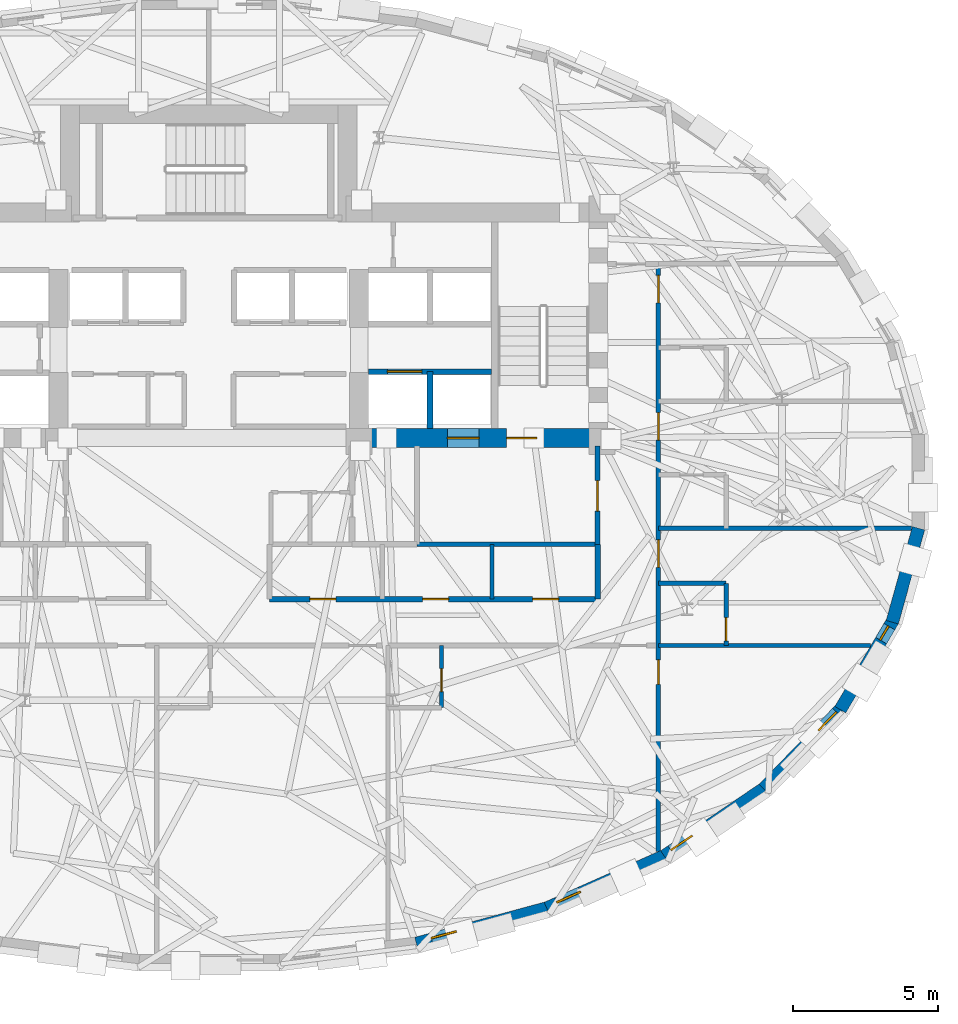
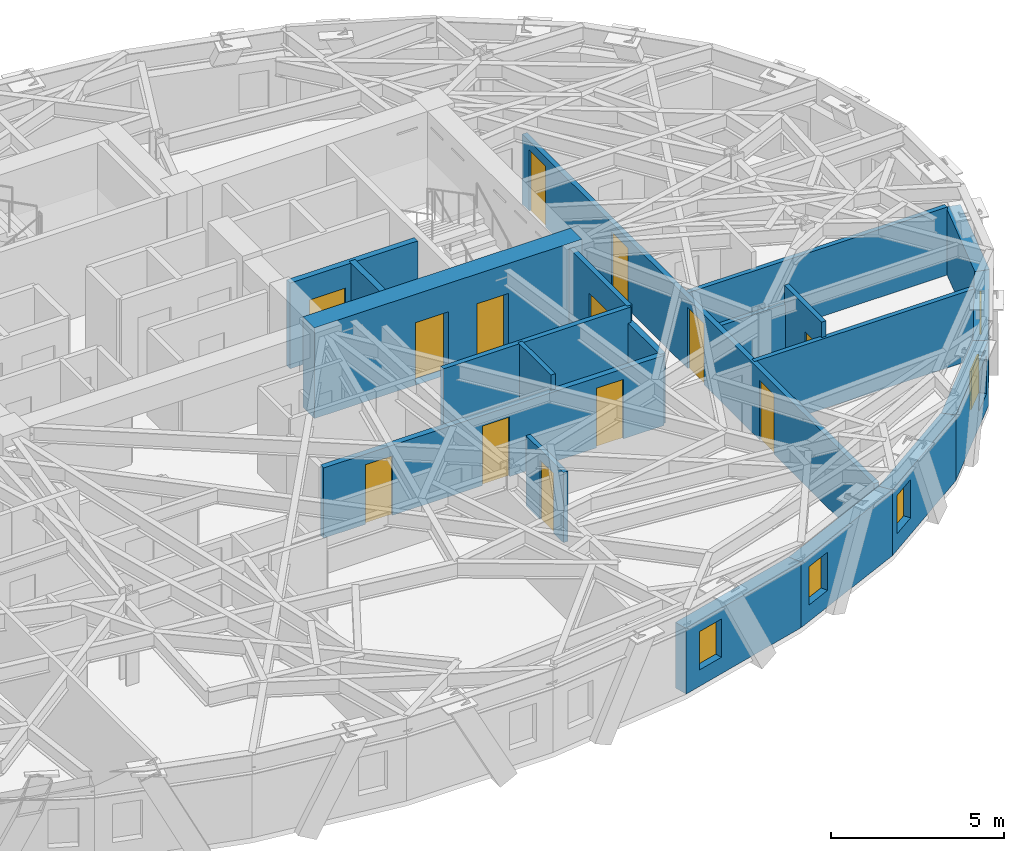
# One storey, part 9 of 15: 20 walls, 13 doors, 5 windows, 18 openings.
"""IFC4 building model written with IfcOpenShell, lengths in metres."""

import ifcopenshell
import ifcopenshell.guid

model = None  # the IFC model being written
_history = None  # IfcOwnerHistory: only IFC2X3 demands one
_inside = {}  # id of a spatial element -> (the spatial element, [elements in it])
_under = {}  # id of a project, library or spatial element -> (it, [spatial elements below it])
_declared = {}  # id of a project -> (the project, [libraries it declares])
_typed = {}  # id of a type object -> (the type object, [elements of that type])
_made_of = {}  # id of a material, layer set ... -> (it, [elements and type objects made of it])


def new_model(schema):
    """Start an empty IFC model of exactly this schema.

    Asked for "IFC4X3", IfcOpenShell would pick the latest addendum, in which some entities
    have other attributes; the version numbers below select the first issue.
    IFC2X3 requires an IfcOwnerHistory on every rooted entity: one is made here for all.
    """
    global model, _history
    if schema == "IFC4X3":
        model = ifcopenshell.file(schema_version=(4, 3, 0, 0))
    else:
        model = ifcopenshell.file(schema=schema)
    _inside.clear()
    _under.clear()
    _declared.clear()
    _typed.clear()
    _made_of.clear()
    _history = None
    if model.schema == "IFC2X3":
        org = make("IfcOrganization", Name="unknown")
        user = make(
            "IfcPersonAndOrganization",
            ThePerson=make("IfcPerson", FamilyName="unknown"),
            TheOrganization=org,
        )
        app = make(
            "IfcApplication",
            ApplicationDeveloper=org,
            Version="unknown",
            ApplicationFullName="unknown",
            ApplicationIdentifier="unknown",
        )
        _history = make(
            "IfcOwnerHistory",
            OwningUser=user,
            OwningApplication=app,
            ChangeAction="ADDED",
            CreationDate=0,
        )
    return model


def make(cls, **values):
    """One entity of the class cls with the attributes given. An attribute that is None is left unset."""
    return model.create_entity(
        cls, **{name: value for name, value in values.items() if value is not None}
    )


def rooted(cls, **values):
    """An entity with a GlobalId (a new one), such as an element, a storey or a relation."""
    return make(cls, GlobalId=ifcopenshell.guid.new(), OwnerHistory=_history, **values)


def si_unit(unit_type, name, prefix=None):
    """IfcSIUnit, for example si_unit("LENGTHUNIT", "METRE", prefix="MILLI")."""
    return make("IfcSIUnit", UnitType=unit_type, Prefix=prefix, Name=name)


def assignment(units):
    """IfcUnitAssignment: the units of a project."""
    return None if units is None else make("IfcUnitAssignment", Units=units)


def point(xyz):
    """IfcCartesianPoint."""
    return None if xyz is None else make("IfcCartesianPoint", Coordinates=xyz)


def direction(xyz):
    """IfcDirection."""
    return None if xyz is None else make("IfcDirection", DirectionRatios=xyz)


def frame(location, z_axis=None, x_axis=None):
    """IfcAxis2Placement3D, a coordinate frame: its origin and axes. An axis left out is left unset."""
    return make(
        "IfcAxis2Placement3D",
        Location=point(location),
        Axis=direction(z_axis),
        RefDirection=direction(x_axis),
    )


def frame_2d(location, x_axis=None):
    """IfcAxis2Placement2D, a coordinate frame in the plane: its origin and x axis."""
    return make(
        "IfcAxis2Placement2D", Location=point(location), RefDirection=direction(x_axis)
    )


def origin():
    """The frame at (0, 0, 0) with its axes left unset."""
    return frame((0.0, 0.0, 0.0))


def place(relative_to, where):
    """IfcLocalPlacement: puts the frame where relative to a parent placement (None: the world)."""
    return make(
        "IfcLocalPlacement", PlacementRelTo=relative_to, RelativePlacement=where
    )


def context(
    kind, dimensions, precision=None, world=None, true_north=None, identifier=None
):
    """IfcGeometricRepresentationContext, for example the 3D "Model" context."""
    return make(
        "IfcGeometricRepresentationContext",
        ContextIdentifier=identifier,
        ContextType=kind,
        CoordinateSpaceDimension=dimensions,
        Precision=precision,
        WorldCoordinateSystem=world,
        TrueNorth=true_north,
    )


def subcontext(parent, identifier, kind, view, scale=None):
    """IfcGeometricRepresentationSubContext, for example "Body" below "Model"."""
    return make(
        "IfcGeometricRepresentationSubContext",
        ContextIdentifier=identifier,
        ContextType=kind,
        ParentContext=parent,
        TargetScale=scale,
        TargetView=view,
    )


def project(units=None, contexts=None):
    """IfcProject with its units and contexts."""
    return rooted(
        "IfcProject",
        Name="project",
        RepresentationContexts=contexts,
        UnitsInContext=assignment(units),
    )


def spatial(cls, under=None, at=None, **own):
    """A site, building, storey or space (cls), placed at a placement, below another one or the project."""
    s = rooted(cls, ObjectPlacement=at, **own)
    if under is not None:
        _under.setdefault(under.id(), (under, []))[1].append(s)
    return s


def profile(cls, at=None, kind="AREA", **sizes):
    """A parametric profile (cls). Its sizes go by their IFC names, for example OverallWidth=200.0."""
    return make(cls, ProfileType=kind, Position=at, **sizes)


def rectangle(**sizes):
    """IfcRectangleProfileDef."""
    return profile("IfcRectangleProfileDef", **sizes)


def extrude(swept, where, along, depth):
    """IfcExtrudedAreaSolid: the profile swept, set in the frame where, extruded along a direction by depth."""
    return make(
        "IfcExtrudedAreaSolid",
        SweptArea=swept,
        Position=where,
        ExtrudedDirection=direction(along),
        Depth=depth,
    )


def shape(context_of_items, identifier, shape_type, items):
    """IfcShapeRepresentation: the items that make up one representation, for example the "Body"."""
    return make(
        "IfcShapeRepresentation",
        ContextOfItems=context_of_items,
        RepresentationIdentifier=identifier,
        RepresentationType=shape_type,
        Items=items,
    )


def material(Name=None, Category=None):
    """IfcMaterial."""
    return make("IfcMaterial", Name=Name, Category=Category)


def layer(
    of_material, thickness, ventilated=None, Name=None, Category=None, Priority=None
):
    """IfcMaterialLayer: one layer of a wall or slab, of a material (None: an air gap)."""
    return make(
        "IfcMaterialLayer",
        Material=of_material,
        LayerThickness=thickness,
        IsVentilated=ventilated,
        Name=Name,
        Category=Category,
        Priority=Priority,
    )


def layer_set(layers, Name=None):
    """IfcMaterialLayerSet."""
    return make("IfcMaterialLayerSet", MaterialLayers=layers, LayerSetName=Name)


def made_of(thing, what):
    """Note that an element or type object is made of a material, layer set ...; save() writes the relation."""
    if what is not None:
        _made_of.setdefault(what.id(), (what, []))[1].append(thing)
    return thing


def type_object(cls, material=None, **own):
    """A type object (cls), such as IfcWallType, which elements share."""
    return made_of(rooted(cls, **own), material)


def element(
    cls,
    number,
    at=None,
    inside=None,
    cuts=None,
    type_object=None,
    material=None,
    context=None,
    identifier="Body",
    shape_type=None,
    held_by="IfcProductDefinitionShape",
    body=None,
    shapes=None,
    **own,
):
    """One element of the class cls, such as IfcWall. Its Tag is "e" and its number.

    at: its placement. inside: the storey or other place that contains it. cuts: it is an
    opening in that element (IfcRelVoidsElement). A single representation is given by context,
    identifier, shape_type and body (its items); several are given by shapes. held_by: the class
    of the entity that holds the representations. save() writes the other relations.
    """
    e = rooted(cls, Tag="e%d" % number, ObjectPlacement=at, **own)
    if body is not None:
        shapes = [shape(context, identifier, shape_type, body)]
    if shapes is not None:
        e.Representation = make(held_by, Representations=shapes)
    if inside is not None:
        _inside.setdefault(inside.id(), (inside, []))[1].append(e)
    if cuts is not None:
        rooted(
            "IfcRelVoidsElement", RelatingBuildingElement=cuts, RelatedOpeningElement=e
        )
    if type_object is not None:
        _typed.setdefault(type_object.id(), (type_object, []))[1].append(e)
    return made_of(e, material)


def fill(opening, filler):
    """IfcRelFillsElement: the door or window that sits in an opening."""
    return rooted(
        "IfcRelFillsElement",
        RelatingOpeningElement=opening,
        RelatedBuildingElement=filler,
    )


def aggregate(whole, parts):
    """IfcRelAggregates: a whole, such as a stair, and the parts it consists of."""
    return rooted("IfcRelAggregates", RelatingObject=whole, RelatedObjects=parts)


def save(model, path):
    """Write the relations noted so far, then the file.

    IfcRelAggregates (storeys below a building ...), IfcRelContainedInSpatialStructure (elements
    in a storey), IfcRelDefinesByType, IfcRelAssociatesMaterial and IfcRelDeclares: one each for
    every whole, place, type object, material and project.
    """
    for whole, parts in _under.values():
        aggregate(whole, parts)
    for where, things in _inside.values():
        rooted(
            "IfcRelContainedInSpatialStructure",
            RelatedElements=things,
            RelatingStructure=where,
        )
    for kind, things in _typed.values():
        rooted("IfcRelDefinesByType", RelatedObjects=things, RelatingType=kind)
    for what, things in _made_of.values():
        rooted("IfcRelAssociatesMaterial", RelatedObjects=things, RelatingMaterial=what)
    for by, libraries in _declared.values():
        rooted("IfcRelDeclares", RelatingContext=by, RelatedDefinitions=libraries)
    model.write(path)


model = new_model("IFC4")

# Units and contexts
model_context = context("Model", 3, precision=1e-05, world=origin(), true_north=direction((0.0, 1.0)))
body_context = subcontext(model_context, "Body", "Model", "MODEL_VIEW")
ifc_project = project(units=[si_unit("LENGTHUNIT", "METRE"), si_unit("AREAUNIT", "SQUARE_METRE"), si_unit("VOLUMEUNIT", "CUBIC_METRE"), si_unit("PLANEANGLEUNIT", "RADIAN"), si_unit("MASSUNIT", "GRAM", prefix="KILO")], contexts=[model_context])

# Site, building, storey
site_placement = place(None, origin())
site = spatial("IfcSite", under=ifc_project, at=site_placement, CompositionType="ELEMENT")
building_placement = place(site_placement, origin())
building = spatial("IfcBuilding", under=site, at=building_placement, Name="Keldmark Tower", CompositionType="ELEMENT")
storey_placement = place(building_placement, frame((0.0, 0.0, 159.800048828125)))
storey = spatial("IfcBuildingStorey", under=building, at=storey_placement, Name="L43", CompositionType="ELEMENT", Elevation=159.800048828125)

# Wall, openings, doors
ifc_material_1 = material(Name="Heavy Acoustic Plumbing Chase Gypsum Assembly", Category="gypsum")
ifc_layer_1 = layer(ifc_material_1, 0.18994140625)
ifc_layer_set_1 = layer_set([ifc_layer_1], Name="Heavy Acoustic Plumbing Chase Gypsum Assembly")
wall_type_1 = type_object("IfcWallType", Name="Heavy Wet Wall 190 mm", PredefinedType="PLUMBINGWALL", material=ifc_layer_set_1)
wall_1_placement = place(storey_placement, frame((2.10009765625, -4.050048828125, 0.0), z_axis=(0.0, 0.0, 1.0), x_axis=(1.0, 0.0, 0.0)))
wall_1 = element("IfcWall", 1, at=wall_1_placement, inside=storey, type_object=wall_type_1, Name="L43 Heavy Wet Wall 190 mm SPK-E-S", PredefinedType="PLUMBINGWALL", context=body_context, shape_type="SweptSolid", body=[
    extrude(rectangle(XDim=11.349853515625, YDim=0.18994140625, at=frame_2d((5.6748046875, 0.0))), origin(), (0.0, 0.0, 1.0), 2.472900390625),
])
opening_1_placement = place(wall_1_placement, frame((1.39990234375, 0.0, 0.0)))
opening_1 = element("IfcOpeningElement", 2, at=opening_1_placement, cuts=wall_1, Name="Opening D-IN090", PredefinedType="OPENING", context=body_context, shape_type="SweptSolid", body=[
    extrude(rectangle(XDim=0.89990234375, YDim=2.10009765625, at=frame_2d((0.449951171875, 1.050048828125))), frame((0.0, 0.10498046875, 0.0), z_axis=(0.0, -1.0, 0.0), x_axis=(1.0, 0.0, 0.0)), (0.0, 0.0, 1.0), 0.2099609375),
])
opening_2_placement = place(wall_1_placement, frame((5.300048828125, 0.0, 0.0)))
opening_2 = element("IfcOpeningElement", 3, at=opening_2_placement, cuts=wall_1, Name="Opening D-IN090", PredefinedType="OPENING", context=body_context, shape_type="SweptSolid", body=[
    extrude(rectangle(XDim=0.89990234375, YDim=2.10009765625, at=frame_2d((0.449951171875, 1.050048828125))), frame((0.0, 0.10498046875, 0.0), z_axis=(0.0, -1.0, 0.0), x_axis=(1.0, 0.0, 0.0)), (0.0, 0.0, 1.0), 0.2099609375),
])
opening_3_placement = place(wall_1_placement, frame((9.10009765625, 0.0, 0.0)))
opening_3 = element("IfcOpeningElement", 4, at=opening_3_placement, cuts=wall_1, Name="Opening D-IN090", PredefinedType="OPENING", context=body_context, shape_type="SweptSolid", body=[
    extrude(rectangle(XDim=0.89990234375, YDim=2.10009765625, at=frame_2d((0.449951171875, 1.050048828125))), frame((0.0, 0.10498046875, 0.0), z_axis=(0.0, -1.0, 0.0), x_axis=(1.0, 0.0, 0.0)), (0.0, 0.0, 1.0), 0.2099609375),
])
ifc_material_2 = material(Name="Stained American White Oak Veneer", Category="wood")
door_type_1 = type_object("IfcDoorType", Name="Interior Door 900x2100", OperationType="NOTDEFINED", PredefinedType="DOOR", material=ifc_material_2)
door_1_placement = place(opening_1_placement, origin())
door_1 = element("IfcDoor", 5, at=door_1_placement, inside=storey, type_object=door_type_1, Name="L43 Interior Door 900x2100 D-SPKE1-L43", OperationType="SINGLE_SWING_RIGHT", OverallHeight=2.10009765625, OverallWidth=0.89990234375, PredefinedType="DOOR", context=body_context, shape_type="SweptSolid", body=[
    extrude(rectangle(XDim=0.89990234375, YDim=2.10009765625, at=frame_2d((0.449951171875, 1.050048828125))), frame((0.0, 0.02490234375, 0.0), z_axis=(0.0, -1.0, 0.0), x_axis=(1.0, 0.0, 0.0)), (0.0, 0.0, 1.0), 0.050048828125),
])
fill(opening_1, door_1)
door_2_placement = place(opening_2_placement, origin())
door_2 = element("IfcDoor", 6, at=door_2_placement, inside=storey, type_object=door_type_1, Name="L43 Interior Door 900x2100 D-SPKE2-L43", OperationType="SINGLE_SWING_LEFT", OverallHeight=2.10009765625, OverallWidth=0.89990234375, PredefinedType="DOOR", context=body_context, shape_type="SweptSolid", body=[
    extrude(rectangle(XDim=0.89990234375, YDim=2.10009765625, at=frame_2d((0.449951171875, 1.050048828125))), frame((0.0, 0.02490234375, 0.0), z_axis=(0.0, -1.0, 0.0), x_axis=(1.0, 0.0, 0.0)), (0.0, 0.0, 1.0), 0.050048828125),
])
fill(opening_2, door_2)
door_3_placement = place(opening_3_placement, origin())
door_3 = element("IfcDoor", 7, at=door_3_placement, inside=storey, type_object=door_type_1, Name="L43 Interior Door 900x2100 D-SPKE3-L43", OperationType="SINGLE_SWING_RIGHT", OverallHeight=2.10009765625, OverallWidth=0.89990234375, PredefinedType="DOOR", context=body_context, shape_type="SweptSolid", body=[
    extrude(rectangle(XDim=0.89990234375, YDim=2.10009765625, at=frame_2d((0.449951171875, 1.050048828125))), frame((0.0, 0.02490234375, 0.0), z_axis=(0.0, -1.0, 0.0), x_axis=(1.0, 0.0, 0.0)), (0.0, 0.0, 1.0), 0.050048828125),
])
fill(opening_3, door_3)

# Walls
wall_2_placement = place(storey_placement, frame((13.449951171875, -4.050048828125, 0.0), z_axis=(0.0, 0.0, 1.0), x_axis=(0.0, 1.0, 0.0)))
element("IfcWall", 8, at=wall_2_placement, inside=storey, type_object=wall_type_1, Name="L43 Heavy Wet Wall 190 mm SPK-E-E", PredefinedType="PLUMBINGWALL", context=body_context, shape_type="SweptSolid", body=[
    extrude(rectangle(XDim=1.900146484375, YDim=0.18994140625, at=frame_2d((0.9501953125, 0.0))), origin(), (0.0, 0.0, 1.0), 2.472900390625),
])
ifc_material_3 = material(Name="Type X Fire-Rated Gypsum Partition Assembly", Category="gypsum")
ifc_layer_2 = layer(ifc_material_3, 0.1650390625)
ifc_layer_set_2 = layer_set([ifc_layer_2], Name="Type X Fire-Rated Gypsum Partition Assembly")
wall_type_2 = type_object("IfcWallType", Name="Rated Partition 165 mm", PredefinedType="PARTITIONING", material=ifc_layer_set_2)
wall_3_placement = place(storey_placement, frame((7.199951171875, -2.14990234375, 0.0), z_axis=(0.0, 0.0, 1.0), x_axis=(1.0, 0.0, 0.0)))
element("IfcWall", 9, at=wall_3_placement, inside=storey, type_object=wall_type_2, Name="L43 Rated Partition 165 mm FSAE-E-S", PredefinedType="PARTITIONING", context=body_context, shape_type="SweptSolid", body=[
    extrude(rectangle(XDim=6.25, YDim=0.1650390625, at=frame_2d((3.125, 0.0))), origin(), (0.0, 0.0, 1.0), 3.02001953125),
])

# Wall, opening, door
wall_4_placement = place(storey_placement, frame((13.449951171875, -2.14990234375, 0.0), z_axis=(0.0, 0.0, 1.0), x_axis=(0.0, 1.0, 0.0)))
wall_4 = element("IfcWall", 10, at=wall_4_placement, inside=storey, type_object=wall_type_2, Name="L43 Rated Partition 165 mm FSAE-E-E", PredefinedType="PARTITIONING", context=body_context, shape_type="SweptSolid", body=[
    extrude(rectangle(XDim=3.39990234375, YDim=0.1650390625, at=frame_2d((1.699951171875, 0.0))), origin(), (0.0, 0.0, 1.0), 3.02001953125),
])
opening_4_placement = place(wall_4_placement, frame((1.14990234375, 0.0, 0.0)))
opening_4 = element("IfcOpeningElement", 11, at=opening_4_placement, cuts=wall_4, Name="Opening D-FL105", PredefinedType="OPENING", context=body_context, shape_type="SweptSolid", body=[
    extrude(rectangle(XDim=1.050048828125, YDim=2.14990234375, at=frame_2d((0.52490234375, 1.074951171875))), frame((0.0, 0.092529296875, 0.0), z_axis=(0.0, -1.0, 0.0), x_axis=(1.0, 0.0, 0.0)), (0.0, 0.0, 1.0), 0.18505859375),
])
ifc_material_4 = material(Name="Fire-Rated Mineral-Core Door and Vision Lite", Category="metal")
door_type_2 = type_object("IfcDoorType", Name="Fire Lobby Door 1050x2150", OperationType="NOTDEFINED", PredefinedType="DOOR", material=ifc_material_4)
door_4_placement = place(opening_4_placement, origin())
door_4 = element("IfcDoor", 12, at=door_4_placement, inside=storey, type_object=door_type_2, Name="L43 Fire Lobby Door 1050x2150 D-FSAEE-OUT-L43", OperationType="SINGLE_SWING_LEFT", OverallHeight=2.14990234375, OverallWidth=1.050048828125, PredefinedType="DOOR", context=body_context, shape_type="SweptSolid", body=[
    extrude(rectangle(XDim=1.050048828125, YDim=2.14990234375, at=frame_2d((0.52490234375, 1.074951171875))), frame((0.0, 0.02490234375, 0.0), z_axis=(0.0, -1.0, 0.0), x_axis=(1.0, 0.0, 0.0)), (0.0, 0.0, 1.0), 0.050048828125),
])
fill(opening_4, door_4)

# Wall, openings, doors
wall_5_placement = place(storey_placement, frame((15.550048828125, -12.77294921875, 0.0), z_axis=(0.0, 0.0, 1.0), x_axis=(0.0, 1.0, 0.0)))
wall_5 = element("IfcWall", 13, at=wall_5_placement, inside=storey, type_object=wall_type_2, Name="L43 Rated Partition 165 mm HCOR-E", PredefinedType="PARTITIONING", context=body_context, shape_type="SweptSolid", body=[
    extrude(rectangle(XDim=20.322998046875, YDim=0.1650390625, at=frame_2d((10.16162109375, 0.0))), origin(), (0.0, 0.0, 1.0), 2.472900390625),
])
opening_5_placement = place(wall_5_placement, frame((5.773193359375, 0.0, 0.0)))
opening_5 = element("IfcOpeningElement", 14, at=opening_5_placement, cuts=wall_5, Name="Opening D-IN085", PredefinedType="OPENING", context=body_context, shape_type="SweptSolid", body=[
    extrude(rectangle(XDim=0.85009765625, YDim=2.10009765625, at=frame_2d((0.425048828125, 1.050048828125))), frame((0.0, 0.092529296875, 0.0), z_axis=(0.0, -1.0, 0.0), x_axis=(1.0, 0.0, 0.0)), (0.0, 0.0, 1.0), 0.18505859375),
])
opening_6_placement = place(wall_5_placement, frame((9.8232421875, 0.0, 0.0)))
opening_6 = element("IfcOpeningElement", 15, at=opening_6_placement, cuts=wall_5, Name="Opening D-HT095", PredefinedType="OPENING", context=body_context, shape_type="SweptSolid", body=[
    extrude(rectangle(XDim=0.949951171875, YDim=2.14990234375, at=frame_2d((0.47509765625, 1.074951171875))), frame((0.0, 0.092529296875, 0.0), z_axis=(0.0, -1.0, 0.0), x_axis=(1.0, 0.0, 0.0)), (0.0, 0.0, 1.0), 0.18505859375),
])
opening_7_placement = place(wall_5_placement, frame((14.22314453125, 0.0, 0.0)))
opening_7 = element("IfcOpeningElement", 16, at=opening_7_placement, cuts=wall_5, Name="Opening D-HT095", PredefinedType="OPENING", context=body_context, shape_type="SweptSolid", body=[
    extrude(rectangle(XDim=0.949951171875, YDim=2.14990234375, at=frame_2d((0.47509765625, 1.074951171875))), frame((0.0, 0.092529296875, 0.0), z_axis=(0.0, -1.0, 0.0), x_axis=(1.0, 0.0, 0.0)), (0.0, 0.0, 1.0), 0.18505859375),
])
opening_8_placement = place(wall_5_placement, frame((18.97314453125, 0.0, 0.0)))
opening_8 = element("IfcOpeningElement", 17, at=opening_8_placement, cuts=wall_5, Name="Opening D-HT095", PredefinedType="OPENING", context=body_context, shape_type="SweptSolid", body=[
    extrude(rectangle(XDim=0.949951171875, YDim=2.14990234375, at=frame_2d((0.47509765625, 1.074951171875))), frame((0.0, 0.092529296875, 0.0), z_axis=(0.0, -1.0, 0.0), x_axis=(1.0, 0.0, 0.0)), (0.0, 0.0, 1.0), 0.18505859375),
])
ifc_material_5 = material(Name="Solid-Core Acoustic White Oak Fire-Rated Assembly", Category="wood")
door_type_3 = type_object("IfcDoorType", Name="Hotel Entry Door 950x2150", OperationType="NOTDEFINED", PredefinedType="DOOR", material=ifc_material_5)
door_5_placement = place(opening_6_placement, origin())
door_5 = element("IfcDoor", 18, at=door_5_placement, inside=storey, type_object=door_type_3, Name="L43 Hotel Entry Door 950x2150 D-HR-7-L43", OperationType="SINGLE_SWING_LEFT", OverallHeight=2.14990234375, OverallWidth=0.949951171875, PredefinedType="DOOR", context=body_context, shape_type="SweptSolid", body=[
    extrude(rectangle(XDim=0.949951171875, YDim=2.14990234375, at=frame_2d((0.47509765625, 1.074951171875))), frame((0.0, 0.02490234375, 0.0), z_axis=(0.0, -1.0, 0.0), x_axis=(1.0, 0.0, 0.0)), (0.0, 0.0, 1.0), 0.050048828125),
])
fill(opening_6, door_5)
door_6_placement = place(opening_7_placement, origin())
door_6 = element("IfcDoor", 19, at=door_6_placement, inside=storey, type_object=door_type_3, Name="L43 Hotel Entry Door 950x2150 D-HR-8-L43", OperationType="SINGLE_SWING_LEFT", OverallHeight=2.14990234375, OverallWidth=0.949951171875, PredefinedType="DOOR", context=body_context, shape_type="SweptSolid", body=[
    extrude(rectangle(XDim=0.949951171875, YDim=2.14990234375, at=frame_2d((0.47509765625, 1.074951171875))), frame((0.0, 0.02490234375, 0.0), z_axis=(0.0, -1.0, 0.0), x_axis=(1.0, 0.0, 0.0)), (0.0, 0.0, 1.0), 0.050048828125),
])
fill(opening_7, door_6)
door_7_placement = place(opening_8_placement, origin())
door_7 = element("IfcDoor", 20, at=door_7_placement, inside=storey, type_object=door_type_3, Name="L43 Hotel Entry Door 950x2150 D-HR-9-L43", OperationType="SINGLE_SWING_LEFT", OverallHeight=2.14990234375, OverallWidth=0.949951171875, PredefinedType="DOOR", context=body_context, shape_type="SweptSolid", body=[
    extrude(rectangle(XDim=0.949951171875, YDim=2.14990234375, at=frame_2d((0.47509765625, 1.074951171875))), frame((0.0, 0.02490234375, 0.0), z_axis=(0.0, -1.0, 0.0), x_axis=(1.0, 0.0, 0.0)), (0.0, 0.0, 1.0), 0.050048828125),
])
fill(opening_8, door_7)
ifc_material_6 = material(Name="Painted Architectural Wood", Category="wood")
door_type_4 = type_object("IfcDoorType", Name="Interior Door 850x2100", OperationType="NOTDEFINED", PredefinedType="DOOR", material=ifc_material_6)
door_8_placement = place(opening_5_placement, origin())
door_8 = element("IfcDoor", 21, at=door_8_placement, inside=storey, type_object=door_type_4, Name="L43 Interior Door 850x2100 D-HKSE-L43", OperationType="SINGLE_SWING_RIGHT", OverallHeight=2.10009765625, OverallWidth=0.85009765625, PredefinedType="DOOR", context=body_context, shape_type="SweptSolid", body=[
    extrude(rectangle(XDim=0.85009765625, YDim=2.10009765625, at=frame_2d((0.425048828125, 1.050048828125))), frame((0.0, 0.02490234375, 0.0), z_axis=(0.0, -1.0, 0.0), x_axis=(1.0, 0.0, 0.0)), (0.0, 0.0, 1.0), 0.050048828125),
])
fill(opening_5, door_8)

# Wall, opening, door
ifc_material_7 = material(Name="Fire-Resistant Type X Gypsum Shaftliner Coreboard", Category="gypsum")
ifc_layer_3 = layer(ifc_material_7, 0.199951171875)
ifc_layer_set_3 = layer_set([ifc_layer_3], Name="Fire-Resistant Type X Gypsum Shaftliner Coreboard")
wall_type_3 = type_object("IfcWallType", Name="Shaft Wall 200 mm", PredefinedType="SOLIDWALL", material=ifc_layer_set_3)
wall_6_placement = place(storey_placement, frame((5.52490234375, 3.820068359375, 0.0), z_axis=(0.0, 0.0, 1.0), x_axis=(1.0, 0.0, 0.0)))
wall_6 = element("IfcWall", 22, at=wall_6_placement, inside=storey, type_object=wall_type_3, Name="L43 Shaft Wall 200 mm HW-E-S", PredefinedType="SOLIDWALL", context=body_context, shape_type="SweptSolid", body=[
    extrude(rectangle(XDim=4.255126953125, YDim=0.199951171875, at=frame_2d((2.12744140625, 0.0))), origin(), (0.0, 0.0, 1.0), 3.02001953125),
])
opening_9_placement = place(wall_6_placement, frame((0.64990234375, 0.0, 0.0)))
opening_9 = element("IfcOpeningElement", 23, at=opening_9_placement, cuts=wall_6, Name="Opening LD-120", PredefinedType="OPENING", context=body_context, shape_type="SweptSolid", body=[
    extrude(rectangle(XDim=1.199951171875, YDim=2.199951171875, at=frame_2d((0.60009765625, 1.10009765625))), frame((0.0, 0.10986328125, 0.0), z_axis=(0.0, -1.0, 0.0), x_axis=(1.0, 0.0, 0.0)), (0.0, 0.0, 1.0), 0.219970703125),
])
ifc_material_8 = material(Name="Heavy-Duty Brushed Metal Hoistway Sliding Leaf", Category="metal")
door_type_5 = type_object("IfcDoorType", Name="Service Lift Sliding Door 1200x2200", OperationType="SLIDING_TO_RIGHT", PredefinedType="DOOR", material=ifc_material_8)
door_9_placement = place(opening_9_placement, origin())
door_9 = element("IfcDoor", 24, at=door_9_placement, inside=storey, type_object=door_type_5, Name="L43 Service Lift Sliding Door 1200x2200 LD-EL-SV1-L43", OperationType="SLIDING_TO_RIGHT", OverallHeight=2.199951171875, OverallWidth=1.199951171875, PredefinedType="DOOR", context=body_context, shape_type="SweptSolid", body=[
    extrude(rectangle(XDim=1.199951171875, YDim=2.199951171875, at=frame_2d((0.60009765625, 1.10009765625))), frame((0.0, 0.02490234375, 0.0), z_axis=(0.0, -1.0, 0.0), x_axis=(1.0, 0.0, 0.0)), (0.0, 0.0, 1.0), 0.050048828125),
])
fill(opening_9, door_9)

# Wall
wall_7_placement = place(storey_placement, frame((7.64990234375, 1.85009765625, 0.0), z_axis=(0.0, 0.0, 1.0), x_axis=(0.0, 1.0, 0.0)))
element("IfcWall", 25, at=wall_7_placement, inside=storey, type_object=wall_type_3, Name="L43 Shaft Wall 200 mm HW-E-M", PredefinedType="SOLIDWALL", context=body_context, shape_type="SweptSolid", body=[
    extrude(rectangle(XDim=1.969970703125, YDim=0.199951171875, at=frame_2d((0.98486328125, 0.0))), origin(), (0.0, 0.0, 1.0), 3.02001953125),
])

# Wall, opening, window
ifc_material_9 = material(Name="Ironspot Manganese Brick and Kasota Buff Limestone Spandrel Assembly", Category="masonry")
ifc_layer_4 = layer(ifc_material_9, 0.43994140625)
ifc_layer_set_4 = layer_set([ifc_layer_4], Name="Ironspot Manganese Brick and Kasota Buff Limestone Spandrel Assembly")
wall_type_4 = type_object("IfcWallType", Name="Tower Brick Pier and Spandrel Wall 440 mm", PredefinedType="STANDARD", material=ifc_layer_set_4)
wall_8_placement = place(storey_placement, frame((11.72119140625, -14.725830078125, 0.0), z_axis=(0.0, 0.0, 1.0), x_axis=(-0.965037424263, -0.262112132058, 0.0)))
wall_8 = element("IfcWall", 26, at=wall_8_placement, inside=storey, type_object=wall_type_4, Name="L43 Exterior Brick and Spandrel Wall 26", PredefinedType="STANDARD", context=body_context, shape_type="SweptSolid", body=[
    extrude(rectangle(XDim=4.70654296875, YDim=0.43994140625, at=frame_2d((2.353271484375, 0.0))), origin(), (0.0, 0.0, 1.0), 2.31494140625),
])
opening_10_placement = place(wall_8_placement, frame((3.260986328125, 0.0, 0.580078125)))
opening_10 = element("IfcOpeningElement", 27, at=opening_10_placement, cuts=wall_8, Name="Opening W-09", PredefinedType="OPENING", context=body_context, shape_type="SweptSolid", body=[
    extrude(rectangle(XDim=0.89990234375, YDim=1.35009765625, at=frame_2d((0.449951171875, 0.675048828125))), frame((0.0, 0.22998046875, 0.0), z_axis=(0.0, -1.0, 0.0), x_axis=(1.0, 0.0, 0.0)), (0.0, 0.0, 1.0), 0.4599609375),
])
ifc_material_10 = material(Name="Thermally Broken Anodized Aluminum and Triple Low-E Argon Glazing", Category="aluminium")
window_type_1 = type_object("IfcWindowType", Name="Corner Pier Deep-Set Window 900x1350", PartitioningType="SINGLE_PANEL", PredefinedType="WINDOW", material=ifc_material_10)
window_1_placement = place(opening_10_placement, origin())
window_1 = element("IfcWindow", 28, at=window_1_placement, inside=storey, type_object=window_type_1, Name="L43 Deep-Set Window 26", OverallHeight=1.35009765625, OverallWidth=0.89990234375, PartitioningType="SINGLE_PANEL", PredefinedType="WINDOW", context=body_context, shape_type="SweptSolid", body=[
    extrude(rectangle(XDim=0.89990234375, YDim=1.35009765625, at=frame_2d((0.449951171875, 0.675048828125))), frame((0.0, -0.010009765625, 0.0), z_axis=(0.0, -1.0, 0.0), x_axis=(1.0, 0.0, 0.0)), (0.0, 0.0, 1.0), 0.06005859375),
])
fill(opening_10, window_1)

wall_9_placement = place(storey_placement, frame((15.790771484375, -12.91552734375, 0.0), z_axis=(0.0, 0.0, 1.0), x_axis=(-0.913907994914, -0.405921392431, 0.0)))
wall_9 = element("IfcWall", 29, at=wall_9_placement, inside=storey, type_object=wall_type_4, Name="L43 Exterior Brick and Spandrel Wall 27", PredefinedType="STANDARD", context=body_context, shape_type="SweptSolid", body=[
    extrude(rectangle(XDim=4.4873046875, YDim=0.43994140625, at=frame_2d((2.24365234375, 0.0))), origin(), (0.0, 0.0, 1.0), 2.31494140625),
])
opening_11_placement = place(wall_9_placement, frame((3.188232421875, 0.0, 0.580078125)))
opening_11 = element("IfcOpeningElement", 30, at=opening_11_placement, cuts=wall_9, Name="Opening W-09", PredefinedType="OPENING", context=body_context, shape_type="SweptSolid", body=[
    extrude(rectangle(XDim=0.89990234375, YDim=1.35009765625, at=frame_2d((0.449951171875, 0.675048828125))), frame((0.0, 0.22998046875, 0.0), z_axis=(0.0, -1.0, 0.0), x_axis=(1.0, 0.0, 0.0)), (0.0, 0.0, 1.0), 0.4599609375),
])
window_2_placement = place(opening_11_placement, origin())
window_2 = element("IfcWindow", 31, at=window_2_placement, inside=storey, type_object=window_type_1, Name="L43 Deep-Set Window 27", OverallHeight=1.35009765625, OverallWidth=0.89990234375, PartitioningType="SINGLE_PANEL", PredefinedType="WINDOW", context=body_context, shape_type="SweptSolid", body=[
    extrude(rectangle(XDim=0.89990234375, YDim=1.35009765625, at=frame_2d((0.449951171875, 0.675048828125))), frame((0.0, -0.010009765625, 0.0), z_axis=(0.0, -1.0, 0.0), x_axis=(1.0, 0.0, 0.0)), (0.0, 0.0, 1.0), 0.06005859375),
])
fill(opening_11, window_2)

wall_10_placement = place(storey_placement, frame((19.2265625, -10.58251953125, 0.0), z_axis=(0.0, 0.0, 1.0), x_axis=(-0.827760762475, -0.561081206338, 0.0)))
wall_10 = element("IfcWall", 32, at=wall_10_placement, inside=storey, type_object=wall_type_4, Name="L43 Exterior Brick and Spandrel Wall 28", PredefinedType="STANDARD", context=body_context, shape_type="SweptSolid", body=[
    extrude(rectangle(XDim=4.19189453125, YDim=0.43994140625, at=frame_2d((2.095947265625, 0.0))), origin(), (0.0, 0.0, 1.0), 2.31494140625),
])
opening_12_placement = place(wall_10_placement, frame((2.9921875, 0.0, 0.580078125)))
opening_12 = element("IfcOpeningElement", 33, at=opening_12_placement, cuts=wall_10, Name="Opening W-09", PredefinedType="OPENING", context=body_context, shape_type="SweptSolid", body=[
    extrude(rectangle(XDim=0.89990234375, YDim=1.35009765625, at=frame_2d((0.449951171875, 0.675048828125))), frame((0.0, 0.22998046875, 0.0), z_axis=(0.0, -1.0, 0.0), x_axis=(1.0, 0.0, 0.0)), (0.0, 0.0, 1.0), 0.4599609375),
])
window_3_placement = place(opening_12_placement, origin())
window_3 = element("IfcWindow", 34, at=window_3_placement, inside=storey, type_object=window_type_1, Name="L43 Deep-Set Window 28", OverallHeight=1.35009765625, OverallWidth=0.89990234375, PartitioningType="SINGLE_PANEL", PredefinedType="WINDOW", context=body_context, shape_type="SweptSolid", body=[
    extrude(rectangle(XDim=0.89990234375, YDim=1.35009765625, at=frame_2d((0.449951171875, 0.675048828125))), frame((0.0, -0.010009765625, 0.0), z_axis=(0.0, -1.0, 0.0), x_axis=(1.0, 0.0, 0.0)), (0.0, 0.0, 1.0), 0.06005859375),
])
fill(opening_12, window_3)

wall_11_placement = place(storey_placement, frame((21.878662109375, -7.831787109375, 0.0), z_axis=(0.0, 0.0, 1.0), x_axis=(-0.694975307772, -0.719033602544, 0.0)))
wall_11 = element("IfcWall", 35, at=wall_11_placement, inside=storey, type_object=wall_type_4, Name="L43 Exterior Brick and Spandrel Wall 29", PredefinedType="STANDARD", context=body_context, shape_type="SweptSolid", body=[
    extrude(rectangle(XDim=3.866455078125, YDim=0.43994140625, at=frame_2d((1.93310546875, 0.0))), origin(), (0.0, 0.0, 1.0), 2.31494140625),
])
opening_13_placement = place(wall_11_placement, frame((0.199951171875, 0.0, 0.580078125)))
opening_13 = element("IfcOpeningElement", 36, at=opening_13_placement, cuts=wall_11, Name="Opening W-09", PredefinedType="OPENING", context=body_context, shape_type="SweptSolid", body=[
    extrude(rectangle(XDim=0.89990234375, YDim=1.35009765625, at=frame_2d((0.449951171875, 0.675048828125))), frame((0.0, 0.22998046875, 0.0), z_axis=(0.0, -1.0, 0.0), x_axis=(1.0, 0.0, 0.0)), (0.0, 0.0, 1.0), 0.4599609375),
])
window_4_placement = place(opening_13_placement, origin())
window_4 = element("IfcWindow", 37, at=window_4_placement, inside=storey, type_object=window_type_1, Name="L43 Deep-Set Window 29", OverallHeight=1.35009765625, OverallWidth=0.89990234375, PartitioningType="SINGLE_PANEL", PredefinedType="WINDOW", context=body_context, shape_type="SweptSolid", body=[
    extrude(rectangle(XDim=0.89990234375, YDim=1.35009765625, at=frame_2d((0.449951171875, 0.675048828125))), frame((0.0, -0.010009765625, 0.0), z_axis=(0.0, -1.0, 0.0), x_axis=(1.0, 0.0, 0.0)), (0.0, 0.0, 1.0), 0.06005859375),
])
fill(opening_13, window_4)

wall_12_placement = place(storey_placement, frame((23.66748046875, -4.793701171875, 0.0), z_axis=(0.0, 0.0, 1.0), x_axis=(-0.508883387051, -0.860835465338, 0.0)))
wall_12 = element("IfcWall", 38, at=wall_12_placement, inside=storey, type_object=wall_type_4, Name="L43 Exterior Brick and Spandrel Wall 30", PredefinedType="STANDARD", context=body_context, shape_type="SweptSolid", body=[
    extrude(rectangle(XDim=3.57666015625, YDim=0.43994140625, at=frame_2d((1.788330078125, 0.0))), origin(), (0.0, 0.0, 1.0), 2.31494140625),
])
opening_14_placement = place(wall_12_placement, frame((0.239501953125, 0.0, 0.580078125)))
opening_14 = element("IfcOpeningElement", 39, at=opening_14_placement, cuts=wall_12, Name="Opening W-10", PredefinedType="OPENING", context=body_context, shape_type="SweptSolid", body=[
    extrude(rectangle(XDim=0.56005859375, YDim=1.14990234375, at=frame_2d((0.280029296875, 0.574951171875))), frame((0.0, 0.22998046875, 0.0), z_axis=(0.0, -1.0, 0.0), x_axis=(1.0, 0.0, 0.0)), (0.0, 0.0, 1.0), 0.4599609375),
])
ifc_material_11 = material(Name="Thermally Broken Anodized Aluminum and Triple Low-E Argon Glazing", Category="aluminium")
window_type_2 = type_object("IfcWindowType", Name="Narrow Pier Lancet Window 560x1150", PartitioningType="SINGLE_PANEL", PredefinedType="WINDOW", material=ifc_material_11)
window_5_placement = place(opening_14_placement, origin())
window_5 = element("IfcWindow", 40, at=window_5_placement, inside=storey, type_object=window_type_2, Name="L43 Pier Window RM03", OverallHeight=1.14990234375, OverallWidth=0.56005859375, PartitioningType="SINGLE_PANEL", PredefinedType="WINDOW", context=body_context, shape_type="SweptSolid", body=[
    extrude(rectangle(XDim=0.56005859375, YDim=1.14990234375, at=frame_2d((0.280029296875, 0.574951171875))), frame((0.0, -0.010009765625, 0.0), z_axis=(0.0, -1.0, 0.0), x_axis=(1.0, 0.0, 0.0)), (0.0, 0.0, 1.0), 0.06005859375),
])
fill(opening_14, window_5)

# Wall
wall_13_placement = place(storey_placement, frame((24.55419921875, -1.59423828125, 0.0), z_axis=(0.0, 0.0, 1.0), x_axis=(-0.269235699479, -0.963074315993, 0.0)))
element("IfcWall", 41, at=wall_13_placement, inside=storey, type_object=wall_type_4, Name="L43 Exterior Brick and Spandrel Wall 31", PredefinedType="STANDARD", context=body_context, shape_type="SweptSolid", body=[
    extrude(rectangle(XDim=3.376953125, YDim=0.43994140625, at=frame_2d((1.6884765625, 0.0))), origin(), (0.0, 0.0, 1.0), 2.31494140625),
])

# Wall, openings, doors
ifc_material_12 = material(Name="Concrete C50/60", Category="concrete")
ifc_layer_5 = layer(ifc_material_12, 0.64990234375)
ifc_layer_set_5 = layer_set([ifc_layer_5], Name="Concrete C50/60")
wall_type_5 = type_object("IfcWallType", Name="Upper-Mid Core Shear Wall 650 mm", PredefinedType="SHEAR", material=ifc_layer_set_5)
wall_14_placement = place(storey_placement, frame((13.800048828125, 1.52490234375, 0.0), z_axis=(0.0, 0.0, 1.0), x_axis=(-1.0, 0.0, 0.0)))
wall_14 = element("IfcWall", 42, at=wall_14_placement, inside=storey, type_object=wall_type_5, Name="L43 East Core South Shear Wall", PredefinedType="SHEAR", context=body_context, shape_type="SweptSolid", body=[
    extrude(rectangle(XDim=8.925048828125, YDim=0.64990234375, at=frame_2d((4.46240234375, 0.0))), origin(), (0.0, 0.0, 1.0), 3.199951171875),
])
opening_15_placement = place(wall_14_placement, frame((2.449951171875, 0.0, 0.0)))
opening_15 = element("IfcOpeningElement", 43, at=opening_15_placement, cuts=wall_14, Name="Opening D-ST105", PredefinedType="OPENING", context=body_context, shape_type="SweptSolid", body=[
    extrude(rectangle(XDim=1.050048828125, YDim=2.14990234375, at=frame_2d((0.52490234375, 1.074951171875))), frame((0.0, 0.3349609375, 0.0), z_axis=(0.0, -1.0, 0.0), x_axis=(1.0, 0.0, 0.0)), (0.0, 0.0, 1.0), 0.669921875),
])
opening_16_placement = place(wall_14_placement, frame((4.449951171875, 0.0, 0.0)))
opening_16 = element("IfcOpeningElement", 44, at=opening_16_placement, cuts=wall_14, Name="Opening LD-110", PredefinedType="OPENING", context=body_context, shape_type="SweptSolid", body=[
    extrude(rectangle(XDim=1.10009765625, YDim=2.199951171875, at=frame_2d((0.550048828125, 1.10009765625))), frame((0.0, 0.3349609375, 0.0), z_axis=(0.0, -1.0, 0.0), x_axis=(1.0, 0.0, 0.0)), (0.0, 0.0, 1.0), 0.669921875),
])
ifc_material_13 = material(Name="Brushed Bronze Hoistway Sliding Leaf", Category="metal")
door_type_6 = type_object("IfcDoorType", Name="Lift Landing Sliding Door 1100x2200", OperationType="SLIDING_TO_LEFT", PredefinedType="DOOR", material=ifc_material_13)
door_10_placement = place(opening_16_placement, origin())
door_10 = element("IfcDoor", 45, at=door_10_placement, inside=storey, type_object=door_type_6, Name="L43 Lift Landing Sliding Door 1100x2200 LD-EL-FS2-L43", OperationType="SLIDING_TO_LEFT", OverallHeight=2.199951171875, OverallWidth=1.10009765625, PredefinedType="DOOR", context=body_context, shape_type="SweptSolid", body=[
    extrude(rectangle(XDim=1.10009765625, YDim=2.199951171875, at=frame_2d((0.550048828125, 1.10009765625))), frame((0.0, 0.02490234375, 0.0), z_axis=(0.0, -1.0, 0.0), x_axis=(1.0, 0.0, 0.0)), (0.0, 0.0, 1.0), 0.050048828125),
])
fill(opening_16, door_10)
ifc_material_14 = material(Name="Hollow Metal Fire-Rated Door Assembly", Category="metal")
door_type_7 = type_object("IfcDoorType", Name="Stair Fire Door 1050x2150", OperationType="NOTDEFINED", PredefinedType="DOOR", material=ifc_material_14)
door_11_placement = place(opening_15_placement, origin())
door_11 = element("IfcDoor", 46, at=door_11_placement, inside=storey, type_object=door_type_7, Name="L43 Stair Fire Door 1050x2150 D-ST2-L43", OperationType="SINGLE_SWING_LEFT", OverallHeight=2.14990234375, OverallWidth=1.050048828125, PredefinedType="DOOR", context=body_context, shape_type="SweptSolid", body=[
    extrude(rectangle(XDim=1.050048828125, YDim=2.14990234375, at=frame_2d((0.52490234375, 1.074951171875))), frame((0.0, 0.02490234375, 0.0), z_axis=(0.0, -1.0, 0.0), x_axis=(1.0, 0.0, 0.0)), (0.0, 0.0, 1.0), 0.050048828125),
])
fill(opening_15, door_11)

# Walls
ifc_material_15 = material(Name="Moisture-Resistant Gypsum Plumbing Partition", Category="gypsum")
ifc_layer_6 = layer(ifc_material_15, 0.14990234375)
ifc_layer_set_6 = layer_set([ifc_layer_6], Name="Moisture-Resistant Gypsum Plumbing Partition")
wall_type_6 = type_object("IfcWallType", Name="Wet Wall 150 mm", PredefinedType="PLUMBINGWALL", material=ifc_layer_set_6)
wall_15_placement = place(storey_placement, frame((9.800048828125, -4.050048828125, 0.0), z_axis=(0.0, 0.0, 1.0), x_axis=(0.0, 1.0, 0.0)))
element("IfcWall", 47, at=wall_15_placement, inside=storey, type_object=wall_type_6, Name="L43 Wet Wall 150 mm SPK-E-D2", PredefinedType="PLUMBINGWALL", context=body_context, shape_type="SweptSolid", body=[
    extrude(rectangle(XDim=1.900146484375, YDim=0.14990234375, at=frame_2d((0.9501953125, 0.0))), origin(), (0.0, 0.0, 1.0), 3.02001953125),
])
wall_16_placement = place(storey_placement, frame((15.550048828125, -5.64990234375, 0.0), z_axis=(0.0, 0.0, 1.0), x_axis=(1.0, 0.0, 0.0)))
element("IfcWall", 48, at=wall_16_placement, inside=storey, type_object=wall_type_6, Name="L43 Wet Wall 150 mm HE-CAP-S", PredefinedType="PLUMBINGWALL", context=body_context, shape_type="SweptSolid", body=[
    extrude(rectangle(XDim=7.346435546875, YDim=0.14990234375, at=frame_2d((3.67333984375, 0.0))), origin(), (0.0, 0.0, 1.0), 2.472900390625),
])

# Wall, opening, door
wall_17_placement = place(storey_placement, frame((8.050048828125, -7.800048828125, 0.0), z_axis=(0.0, 0.0, 1.0), x_axis=(0.0, 1.0, 0.0)))
wall_17 = element("IfcWall", 49, at=wall_17_placement, inside=storey, type_object=wall_type_6, Name="L43 Wet Wall 150 mm HB-S4-E", PredefinedType="PLUMBINGWALL", context=body_context, shape_type="SweptSolid", body=[
    extrude(rectangle(XDim=2.150146484375, YDim=0.14990234375, at=frame_2d((1.0751953125, 0.0))), origin(), (0.0, 0.0, 1.0), 2.472900390625),
])
opening_17_placement = place(wall_17_placement, frame((0.550048828125, 0.0, 0.0)))
opening_17 = element("IfcOpeningElement", 50, at=opening_17_placement, cuts=wall_17, Name="Opening D-BT080", PredefinedType="OPENING", context=body_context, shape_type="SweptSolid", body=[
    extrude(rectangle(XDim=0.800048828125, YDim=2.10009765625, at=frame_2d((0.39990234375, 1.050048828125))), frame((0.0, 0.0849609375, 0.0), z_axis=(0.0, -1.0, 0.0), x_axis=(1.0, 0.0, 0.0)), (0.0, 0.0, 1.0), 0.169921875),
])
ifc_material_16 = material(Name="Moisture-Sealed Stained Wood", Category="wood")
door_type_8 = type_object("IfcDoorType", Name="Bathroom Door 800x2100", OperationType="NOTDEFINED", PredefinedType="DOOR", material=ifc_material_16)
door_12_placement = place(opening_17_placement, origin())
door_12 = element("IfcDoor", 51, at=door_12_placement, inside=storey, type_object=door_type_8, Name="L43 Bathroom Door 800x2100 D-HBS4-L43", OperationType="SINGLE_SWING_RIGHT", OverallHeight=2.10009765625, OverallWidth=0.800048828125, PredefinedType="DOOR", context=body_context, shape_type="SweptSolid", body=[
    extrude(rectangle(XDim=0.800048828125, YDim=2.10009765625, at=frame_2d((0.39990234375, 1.050048828125))), frame((0.0, 0.02490234375, 0.0), z_axis=(0.0, -1.0, 0.0), x_axis=(1.0, 0.0, 0.0)), (0.0, 0.0, 1.0), 0.050048828125),
])
fill(opening_17, door_12)

# Walls
wall_18_placement = place(storey_placement, frame((15.550048828125, -1.60009765625, 0.0), z_axis=(0.0, 0.0, 1.0), x_axis=(1.0, 0.0, 0.0)))
element("IfcWall", 52, at=wall_18_placement, inside=storey, type_object=wall_type_6, Name="L43 Wet Wall 150 mm HE-DIV-1", PredefinedType="PLUMBINGWALL", context=body_context, shape_type="SweptSolid", body=[
    extrude(rectangle(XDim=8.765869140625, YDim=0.14990234375, at=frame_2d((4.3828125, 0.0))), origin(), (0.0, 0.0, 1.0), 2.39794921875),
])
wall_19_placement = place(storey_placement, frame((15.550048828125, -3.5, 0.0), z_axis=(0.0, 0.0, 1.0), x_axis=(1.0, 0.0, 0.0)))
element("IfcWall", 53, at=wall_19_placement, inside=storey, type_object=wall_type_6, Name="L43 Wet Wall 150 mm HB-7-N", PredefinedType="PLUMBINGWALL", context=body_context, shape_type="SweptSolid", body=[
    extrude(rectangle(XDim=2.349853515625, YDim=0.14990234375, at=frame_2d((1.1748046875, 0.0))), origin(), (0.0, 0.0, 1.0), 2.39794921875),
])

# Wall, opening, door
wall_20_placement = place(storey_placement, frame((17.89990234375, -5.64990234375, 0.0), z_axis=(0.0, 0.0, 1.0), x_axis=(0.0, 1.0, 0.0)))
wall_20 = element("IfcWall", 54, at=wall_20_placement, inside=storey, type_object=wall_type_6, Name="L43 Wet Wall 150 mm HB-7-IN", PredefinedType="PLUMBINGWALL", context=body_context, shape_type="SweptSolid", body=[
    extrude(rectangle(XDim=2.14990234375, YDim=0.14990234375, at=frame_2d((1.074951171875, 0.0))), origin(), (0.0, 0.0, 1.0), 3.02001953125),
])
opening_18_placement = place(wall_20_placement, frame((0.159912109375, 0.0, 0.0)))
opening_18 = element("IfcOpeningElement", 55, at=opening_18_placement, cuts=wall_20, Name="Opening D-BT080", PredefinedType="OPENING", context=body_context, shape_type="SweptSolid", body=[
    extrude(rectangle(XDim=0.800048828125, YDim=2.10009765625, at=frame_2d((0.39990234375, 1.050048828125))), frame((0.0, 0.0849609375, 0.0), z_axis=(0.0, -1.0, 0.0), x_axis=(1.0, 0.0, 0.0)), (0.0, 0.0, 1.0), 0.169921875),
])
door_13_placement = place(opening_18_placement, origin())
door_13 = element("IfcDoor", 56, at=door_13_placement, inside=storey, type_object=door_type_8, Name="L43 Bathroom Door 800x2100 D-HB-7-L43", OperationType="SINGLE_SWING_LEFT", OverallHeight=2.10009765625, OverallWidth=0.800048828125, PredefinedType="DOOR", context=body_context, shape_type="SweptSolid", body=[
    extrude(rectangle(XDim=0.800048828125, YDim=2.10009765625, at=frame_2d((0.39990234375, 1.050048828125))), frame((0.0, 0.02490234375, 0.0), z_axis=(0.0, -1.0, 0.0), x_axis=(1.0, 0.0, 0.0)), (0.0, 0.0, 1.0), 0.050048828125),
])
fill(opening_18, door_13)

save(model, "model.ifc")
